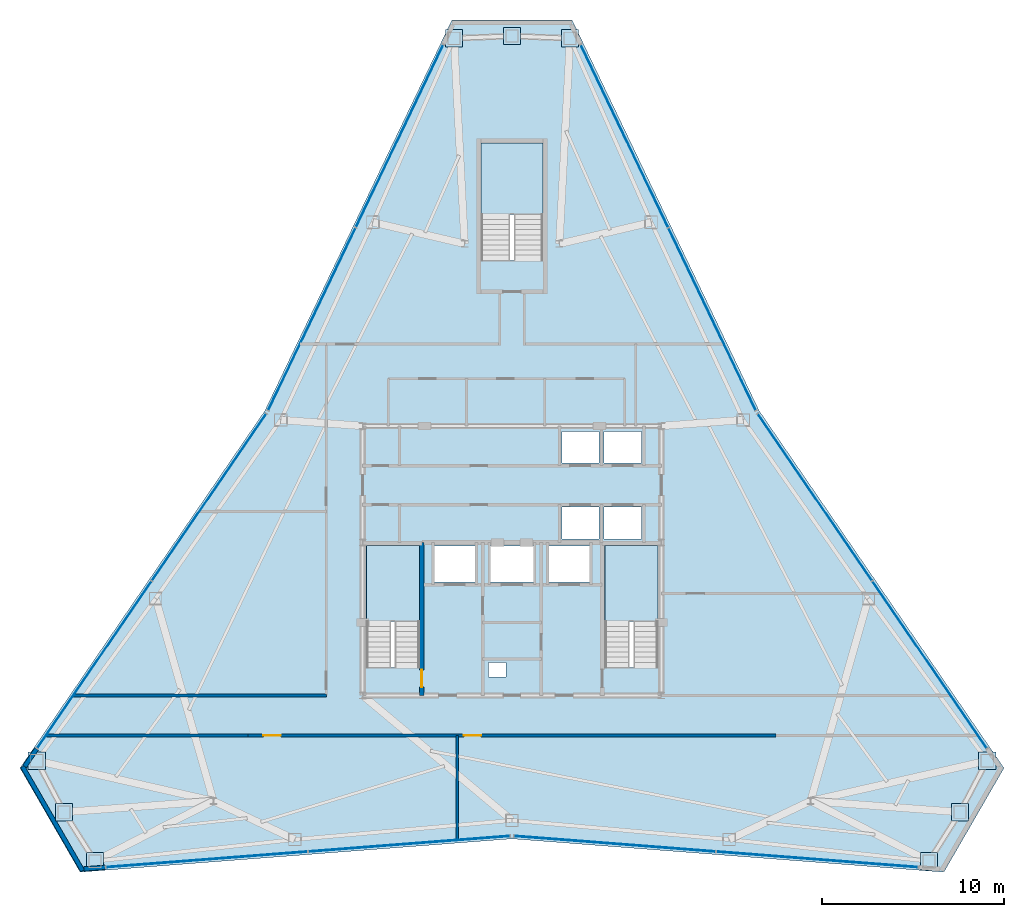
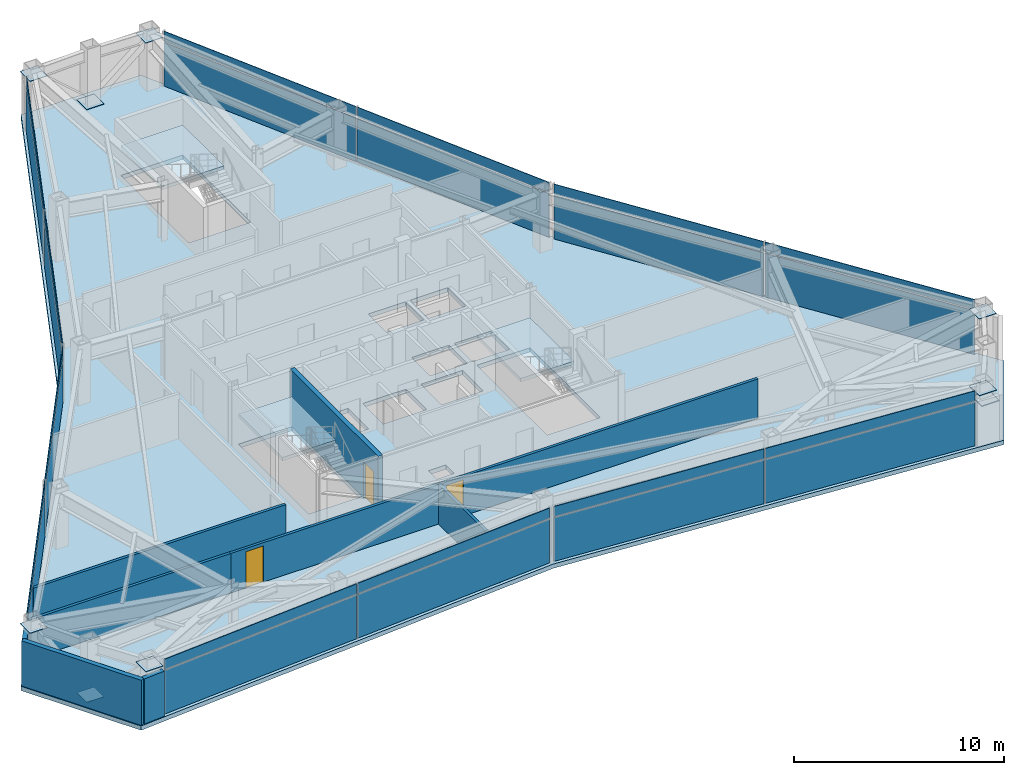
# One storey, part 8 of 11: 33 plates, 8 walls, 4 slabs, 3 doors, 3 openings, 9 elements without a shape of their own.
"""IFC4 building model written with IfcOpenShell, lengths in metres."""

from ifc_helpers import new_model, si_unit, direction, frame, frame_2d, origin, origin_2d, place, context, subcontext, project, spatial, polyline, rectangle, outline, extrude, source, transform, mapped, material, layer, layer_set, type_object, type_shapes, element, fill, aggregate, save


model = new_model("IFC4")

# Units and contexts
model_context = context("Model", 3, precision=1e-05, world=origin(), true_north=direction((0.0, 1.0)))
body_context = subcontext(model_context, "Body", "Model", "MODEL_VIEW")
ifc_project = project(units=[si_unit("LENGTHUNIT", "METRE"), si_unit("AREAUNIT", "SQUARE_METRE"), si_unit("VOLUMEUNIT", "CUBIC_METRE"), si_unit("PLANEANGLEUNIT", "RADIAN"), si_unit("MASSUNIT", "GRAM", prefix="KILO")], contexts=[model_context])

# Site, building, storey
site_placement = place(None, origin())
site = spatial("IfcSite", under=ifc_project, at=site_placement, CompositionType="ELEMENT")
building_placement = place(site_placement, origin())
building = spatial("IfcBuilding", under=site, at=building_placement, Name="Varakhsha Concourse Tower", CompositionType="ELEMENT")
storey_placement = place(building_placement, frame((0.0, 0.0, 215.39990234375)))
storey = spatial("IfcBuildingStorey", under=building, at=storey_placement, Name="L61", CompositionType="ELEMENT", Elevation=215.39990234375)

# Slab
ifc_material_1 = material(Name="Concrete fc 45 MPa", Category="concrete")
ifc_layer_1 = layer(ifc_material_1, 0.25, Name="SL-FLR-250")
ifc_layer_set_1 = layer_set([ifc_layer_1], Name="Concrete fc 45 MPa")
slab_type_1 = type_object("IfcSlabType", Name="SL-FLR-250", PredefinedType="FLOOR", material=ifc_layer_set_1)
slab_1_placement = place(storey_placement, frame((0.0, 0.0, -0.25)))
element("IfcSlab", 1, at=slab_1_placement, inside=storey, type_object=slab_type_1, Name="L61 Composite Structural Slab", PredefinedType="FLOOR", context=body_context, shape_type="SweptSolid", body=[
    extrude(outline(polyline([(43.300048828125, 53.49755859375), (36.699951171875, 53.49755859375), (26.4248046875, 32.03759765625), (12.9775390625, 12.4091796875), (16.277587890625, 6.693359375), (40.0, 8.5244140625), (63.722412109375, 6.693359375), (67.0224609375, 12.4091796875), (53.5751953125, 32.03759765625), (43.300048828125, 53.49755859375)]), holes=[polyline([(34.919921875, 17.93994140625), (34.919921875, 24.6298828125), (32.0, 24.6298828125), (32.0, 17.93994140625), (34.919921875, 17.93994140625)]), polyline([(48.02001953125, 17.93994140625), (48.02001953125, 24.6298828125), (45.10009765625, 24.6298828125), (45.10009765625, 17.93994140625), (48.02001953125, 17.93994140625)]), polyline([(41.699951171875, 40.300048828125), (41.699951171875, 46.75), (38.300048828125, 46.75), (38.300048828125, 40.300048828125), (41.699951171875, 40.300048828125)]), polyline([(42.739990234375, 29.159912109375), (44.780029296875, 29.159912109375), (44.780029296875, 30.89990234375), (42.739990234375, 30.89990234375), (42.739990234375, 29.159912109375)]), polyline([(45.06005859375, 29.159912109375), (47.10009765625, 29.159912109375), (47.10009765625, 30.89990234375), (45.06005859375, 30.89990234375), (45.06005859375, 29.159912109375)]), polyline([(42.739990234375, 25.0), (44.780029296875, 25.0), (44.780029296875, 26.739990234375), (42.739990234375, 26.739990234375), (42.739990234375, 25.0)]), polyline([(45.06005859375, 25.0), (47.10009765625, 25.0), (47.10009765625, 26.739990234375), (45.06005859375, 26.739990234375), (45.06005859375, 25.0)]), polyline([(35.7099609375, 22.639892578125), (37.989990234375, 22.639892578125), (37.989990234375, 24.60009765625), (35.7099609375, 24.60009765625), (35.7099609375, 22.639892578125)]), polyline([(42.010009765625, 22.639892578125), (44.2900390625, 22.639892578125), (44.2900390625, 24.60009765625), (42.010009765625, 24.60009765625), (42.010009765625, 22.639892578125)]), polyline([(38.81005859375, 22.639892578125), (41.18994140625, 22.639892578125), (41.18994140625, 24.60009765625), (38.81005859375, 24.60009765625), (38.81005859375, 22.639892578125)]), polyline([(38.719970703125, 17.39990234375), (39.679931640625, 17.39990234375), (39.679931640625, 18.199951171875), (38.719970703125, 18.199951171875), (38.719970703125, 17.39990234375)])]), origin(), (0.0, 0.0, 1.0), 0.25),
])

# Stair, slab
stair_type_1 = type_object("IfcStairType", Name="ST-DOGLEG-1360", PredefinedType="HALF_TURN_STAIR", material=ifc_material_1)
stair_1_placement = place(storey_placement, origin())
stair_1 = element("IfcStair", 2, at=stair_1_placement, inside=storey, type_object=stair_type_1, Name="L61 Protected Exit Stair ST1", PredefinedType="HALF_TURN_STAIR")
ifc_layer_2 = layer(ifc_material_1, 0.199951171875, Name="SL-LAND-200")
ifc_layer_set_2 = layer_set([ifc_layer_2], Name="Concrete fc 45 MPa")
slab_type_2 = type_object("IfcSlabType", Name="SL-LAND-200", PredefinedType="LANDING", material=ifc_layer_set_2)
slab_2_placement = place(storey_placement, frame((0.0, 0.0, 1.550048828125)))
slab_2 = element("IfcSlab", 3, at=slab_2_placement, type_object=slab_type_2, Name="ST1 landing 1", PredefinedType="LANDING", context=body_context, shape_type="SweptSolid", body=[
    extrude(outline(polyline([(34.919921875, 20.4599609375), (34.919921875, 24.6298828125), (32.0, 24.6298828125), (32.0, 20.4599609375), (34.919921875, 20.4599609375)])), origin(), (0.0, 0.0, 1.0), 0.199951171875),
])
aggregate(stair_1, [slab_2])

stair_2_placement = place(storey_placement, origin())
stair_2 = element("IfcStair", 4, at=stair_2_placement, inside=storey, type_object=stair_type_1, Name="L61 Protected Exit Stair ST2", PredefinedType="HALF_TURN_STAIR")
slab_3_placement = place(storey_placement, frame((0.0, 0.0, 1.550048828125)))
slab_3 = element("IfcSlab", 5, at=slab_3_placement, type_object=slab_type_2, Name="ST2 landing 1", PredefinedType="LANDING", context=body_context, shape_type="SweptSolid", body=[
    extrude(outline(polyline([(48.02001953125, 20.4599609375), (48.02001953125, 24.6298828125), (45.10009765625, 24.6298828125), (45.10009765625, 20.4599609375), (48.02001953125, 20.4599609375)])), origin(), (0.0, 0.0, 1.0), 0.199951171875),
])
aggregate(stair_2, [slab_3])

stair_type_2 = type_object("IfcStairType", Name="ST-DOGLEG-1600", PredefinedType="HALF_TURN_STAIR", material=ifc_material_1)
stair_3_placement = place(storey_placement, origin())
stair_3 = element("IfcStair", 6, at=stair_3_placement, inside=storey, type_object=stair_type_2, Name="L61 Protected Exit Stair ST5", PredefinedType="HALF_TURN_STAIR")
slab_4_placement = place(storey_placement, frame((0.0, 0.0, 1.550048828125)))
slab_4 = element("IfcSlab", 7, at=slab_4_placement, type_object=slab_type_2, Name="ST5 landing 1", PredefinedType="LANDING", context=body_context, shape_type="SweptSolid", body=[
    extrude(outline(polyline([(41.699951171875, 42.820068359375), (41.699951171875, 46.75), (38.300048828125, 46.75), (38.300048828125, 42.820068359375), (41.699951171875, 42.820068359375)])), origin(), (0.0, 0.0, 1.0), 0.199951171875),
])
aggregate(stair_3, [slab_4])

# Plates
ifc_material_2 = material(Name="Structural Steel ASTM A572 Grade 50", Category="steel")
ifc_layer_3 = layer(ifc_material_2, 0.030029296875, Name="PL-ENDCAP-950")
ifc_layer_set_3 = layer_set([ifc_layer_3], Name="Structural Steel ASTM A572 Grade 50")
plate_type_1 = type_object("IfcPlateType", Name="PL-ENDCAP-950", PredefinedType="USERDEFINED", material=ifc_layer_set_3)
shared_shape_1 = source(origin(), body_context, "Body", "SweptSolid", [
    extrude(rectangle(XDim=0.949951171875, YDim=0.949951171875, at=origin_2d()), origin(), (0.0, 0.0, 1.0), 0.030029296875),
])
type_shapes(plate_type_1, [shared_shape_1])
for number, where, z_axis, x_axis, name in (
    (8, (40.0, 52.617431640625, 0.10498046875), (0.0, 0.0, 1.0), (1.0, 0.0, 0.0), "Hollow Section End Cap GP-NODE-L61-0625"),
    (9, (43.186767578125, 52.491943359375, 2.93505859375), (0.0, 0.0, 1.0), (1.0, 0.0, 0.0), "Hollow Section End Cap GP-NODE-L61-0626"),
    (10, (36.813232421875, 52.491943359375, 2.93505859375), (0.0, 0.0, 1.0), (1.0, 0.0, 0.0), "Hollow Section End Cap GP-NODE-L61-0627"),
    (11, (15.3896484375, 9.9912109375, 0.10498046875), (0.0, 0.0, 1.0), (1.0, 0.0, 0.0), "Hollow Section End Cap GP-NODE-L61-0628"),
    (12, (13.905029296875, 12.813720703125, 2.93505859375), (0.0, 0.0, 1.0), (1.0, 0.0, 0.0), "Hollow Section End Cap GP-NODE-L61-0629"),
    (13, (17.091796875, 7.294189453125, 2.93505859375), (0.0, 0.0, 1.0), (1.0, 0.0, 0.0), "Hollow Section End Cap GP-NODE-L61-0630"),
    (14, (64.6103515625, 9.9912109375, 0.10498046875), (0.0, 0.0, 1.0), (1.0, 0.0, 0.0), "Hollow Section End Cap GP-NODE-L61-0631"),
    (15, (62.908203125, 7.294189453125, 2.93505859375), (0.0, 0.0, 1.0), (1.0, 0.0, 0.0), "Hollow Section End Cap GP-NODE-L61-0632"),
    (16, (66.094970703125, 12.813720703125, 2.93505859375), (0.0, 0.0, 1.0), (1.0, 0.0, 0.0), "Hollow Section End Cap GP-NODE-L61-0633"),
):
    element("IfcPlate", number, at=place(storey_placement, frame(where, z_axis=z_axis, x_axis=x_axis)), inside=storey, type_object=plate_type_1, Name=name, ObjectType="END PLATE", PredefinedType="USERDEFINED", context=body_context, shape_type="MappedRepresentation", body=[
        mapped(shared_shape_1, transform((0.0, 0.0, 0.0), scale=1.0)),
    ])

# Curtain wall, plates
ifc_material_3 = material(Name="Anodised Bronze Architectural Aluminium AA 6063-T6", Category="aluminium")
ifc_layer_4 = layer(ifc_material_3, 0.199951171875, Name="CW-SYS-05")
ifc_layer_set_4 = layer_set([ifc_layer_4], Name="Anodised Bronze Architectural Aluminium AA 6063-T6")
curtain_wall_type = type_object("IfcCurtainWallType", Name="CW-SYS-05", PredefinedType="NOTDEFINED", material=ifc_layer_set_4)
curtain_wall_1_placement = place(storey_placement, origin())
curtain_wall_1 = element("IfcCurtainWall", 17, at=curtain_wall_1_placement, inside=storey, type_object=curtain_wall_type, Name="L61 Crystal Curtain Wall F2", PredefinedType="NOTDEFINED")
ifc_material_4 = material(Name="Low-E Triple Insulating Glass IGU 44 mm", Category="glass")
ifc_layer_5 = layer(ifc_material_4, 0.0439453125, Name="CWP-IGU-44")
ifc_layer_set_5 = layer_set([ifc_layer_5], Name="Low-E Triple Insulating Glass IGU 44 mm")
plate_type_2 = type_object("IfcPlateType", Name="CWP-IGU-44", PredefinedType="CURTAIN_PANEL", material=ifc_layer_set_5)
shared_shape_2 = source(origin(), body_context, "Body", "SweptSolid", [
    extrude(rectangle(XDim=11.077392578125, YDim=0.0439453125, at=origin_2d()), origin(), (0.0, 0.0, 1.0), 2.535888671875),
])
type_shapes(plate_type_2, [shared_shape_2])
plate_1_placement = place(storey_placement, frame((29.010498046875, 37.0673828125, 0.0322265625), z_axis=(0.0, 0.0, 1.0), x_axis=(0.431862228288, 0.901939585437, 0.0)))
plate_1 = element("IfcPlate", 18, at=plate_1_placement, type_object=plate_type_2, Name="CW-L61-F2 Panel 00-00", PredefinedType="CURTAIN_PANEL", context=body_context, shape_type="MappedRepresentation", body=[
    mapped(shared_shape_2, transform((0.0, 0.0, 0.0), scale=1.0)),
])
plate_2_placement = place(storey_placement, frame((33.82421875, 47.12109375, 0.0322265625), z_axis=(0.0, 0.0, 1.0), x_axis=(0.431862228288, 0.901939585437, 0.0)))
plate_2 = element("IfcPlate", 19, at=plate_2_placement, type_object=plate_type_2, Name="CW-L61-F2 Panel 01-00", PredefinedType="CURTAIN_PANEL", context=body_context, shape_type="MappedRepresentation", body=[
    mapped(shared_shape_2, transform((0.0, 0.0, 0.0), scale=1.0)),
])

curtain_wall_2_placement = place(storey_placement, origin())
curtain_wall_2 = element("IfcCurtainWall", 20, at=curtain_wall_2_placement, inside=storey, type_object=curtain_wall_type, Name="L61 Crystal Curtain Wall F3", PredefinedType="NOTDEFINED")
plate_3_placement = place(storey_placement, frame((17.06201171875, 18.087890625, 0.0322265625), z_axis=(0.0, 0.0, 1.0), x_axis=(0.565172919372, 0.82497246694, 0.0)))
plate_3 = element("IfcPlate", 21, at=plate_3_placement, type_object=plate_type_2, Name="CW-L61-F3 Panel 00-00", PredefinedType="CURTAIN_PANEL", context=body_context, shape_type="MappedRepresentation", body=[
    mapped(shared_shape_2, transform((0.0, 0.0, 0.0), scale=1.0)),
])
plate_4_placement = place(storey_placement, frame((23.36181640625, 27.283447265625, 0.0322265625), z_axis=(0.0, 0.0, 1.0), x_axis=(0.565172919372, 0.82497246694, 0.0)))
plate_4 = element("IfcPlate", 22, at=plate_4_placement, type_object=plate_type_2, Name="CW-L61-F3 Panel 01-00", PredefinedType="CURTAIN_PANEL", context=body_context, shape_type="MappedRepresentation", body=[
    mapped(shared_shape_2, transform((0.0, 0.0, 0.0), scale=1.0)),
])

curtain_wall_3_placement = place(storey_placement, origin())
curtain_wall_3 = element("IfcCurtainWall", 23, at=curtain_wall_3_placement, inside=storey, type_object=curtain_wall_type, Name="L61 Crystal Curtain Wall F5", PredefinedType="NOTDEFINED")
plate_5_placement = place(storey_placement, frame((34.351318359375, 8.2490234375, 0.0322265625), z_axis=(0.0, 0.0, 1.0), x_axis=(-0.997034110791, -0.076960911628, 0.0)))
plate_5 = element("IfcPlate", 24, at=plate_5_placement, type_object=plate_type_2, Name="CW-L61-F5 Panel 00-00", PredefinedType="CURTAIN_PANEL", context=body_context, shape_type="MappedRepresentation", body=[
    mapped(shared_shape_2, transform((0.0, 0.0, 0.0), scale=1.0)),
])
plate_6_placement = place(storey_placement, frame((23.23779296875, 7.39111328125, 0.0322265625), z_axis=(0.0, 0.0, 1.0), x_axis=(-0.997034110791, -0.076960911628, 0.0)))
plate_6 = element("IfcPlate", 25, at=plate_6_placement, type_object=plate_type_2, Name="CW-L61-F5 Panel 01-00", PredefinedType="CURTAIN_PANEL", context=body_context, shape_type="MappedRepresentation", body=[
    mapped(shared_shape_2, transform((0.0, 0.0, 0.0), scale=1.0)),
])

curtain_wall_4_placement = place(storey_placement, origin())
curtain_wall_4 = element("IfcCurtainWall", 26, at=curtain_wall_4_placement, inside=storey, type_object=curtain_wall_type, Name="L61 Crystal Curtain Wall F6", PredefinedType="NOTDEFINED")
plate_7_placement = place(storey_placement, frame((56.76220703125, 7.39111328125, 0.0322265625), z_axis=(0.0, 0.0, 1.0), x_axis=(-0.997034110791, 0.076960911628, 0.0)))
plate_7 = element("IfcPlate", 27, at=plate_7_placement, type_object=plate_type_2, Name="CW-L61-F6 Panel 00-00", PredefinedType="CURTAIN_PANEL", context=body_context, shape_type="MappedRepresentation", body=[
    mapped(shared_shape_2, transform((0.0, 0.0, 0.0), scale=1.0)),
])
plate_8_placement = place(storey_placement, frame((45.648681640625, 8.2490234375, 0.0322265625), z_axis=(0.0, 0.0, 1.0), x_axis=(-0.997034110791, 0.076960911628, 0.0)))
plate_8 = element("IfcPlate", 28, at=plate_8_placement, type_object=plate_type_2, Name="CW-L61-F6 Panel 01-00", PredefinedType="CURTAIN_PANEL", context=body_context, shape_type="MappedRepresentation", body=[
    mapped(shared_shape_2, transform((0.0, 0.0, 0.0), scale=1.0)),
])

curtain_wall_5_placement = place(storey_placement, origin())
curtain_wall_5 = element("IfcCurtainWall", 29, at=curtain_wall_5_placement, inside=storey, type_object=curtain_wall_type, Name="L61 Crystal Curtain Wall F8", PredefinedType="NOTDEFINED")
plate_9_placement = place(storey_placement, frame((56.638427734375, 27.283447265625, 0.0322265625), z_axis=(0.0, 0.0, 1.0), x_axis=(0.565172919372, -0.82497246694, 0.0)))
plate_9 = element("IfcPlate", 30, at=plate_9_placement, type_object=plate_type_2, Name="CW-L61-F8 Panel 00-00", PredefinedType="CURTAIN_PANEL", context=body_context, shape_type="MappedRepresentation", body=[
    mapped(shared_shape_2, transform((0.0, 0.0, 0.0), scale=1.0)),
])
plate_10_placement = place(storey_placement, frame((62.93798828125, 18.087890625, 0.0322265625), z_axis=(0.0, 0.0, 1.0), x_axis=(0.565172919372, -0.82497246694, 0.0)))
plate_10 = element("IfcPlate", 31, at=plate_10_placement, type_object=plate_type_2, Name="CW-L61-F8 Panel 01-00", PredefinedType="CURTAIN_PANEL", context=body_context, shape_type="MappedRepresentation", body=[
    mapped(shared_shape_2, transform((0.0, 0.0, 0.0), scale=1.0)),
])

curtain_wall_6_placement = place(storey_placement, origin())
curtain_wall_6 = element("IfcCurtainWall", 32, at=curtain_wall_6_placement, inside=storey, type_object=curtain_wall_type, Name="L61 Crystal Curtain Wall F9", PredefinedType="NOTDEFINED")
plate_11_placement = place(storey_placement, frame((46.17578125, 47.12109375, 0.0322265625), z_axis=(0.0, 0.0, 1.0), x_axis=(0.431862228288, -0.901939585437, 0.0)))
plate_11 = element("IfcPlate", 33, at=plate_11_placement, type_object=plate_type_2, Name="CW-L61-F9 Panel 00-00", PredefinedType="CURTAIN_PANEL", context=body_context, shape_type="MappedRepresentation", body=[
    mapped(shared_shape_2, transform((0.0, 0.0, 0.0), scale=1.0)),
])
plate_12_placement = place(storey_placement, frame((50.989501953125, 37.0673828125, 0.0322265625), z_axis=(0.0, 0.0, 1.0), x_axis=(0.431862228288, -0.901939585437, 0.0)))
plate_12 = element("IfcPlate", 34, at=plate_12_placement, type_object=plate_type_2, Name="CW-L61-F9 Panel 01-00", PredefinedType="CURTAIN_PANEL", context=body_context, shape_type="MappedRepresentation", body=[
    mapped(shared_shape_2, transform((0.0, 0.0, 0.0), scale=1.0)),
])

# Plate
ifc_material_5 = material(Name="Insulated Anodised Bronze Aluminium Spandrel 36 mm", Category="aluminium")
ifc_layer_6 = layer(ifc_material_5, 0.035888671875, Name="CWP-SPN-36")
ifc_layer_set_6 = layer_set([ifc_layer_6], Name="Insulated Anodised Bronze Aluminium Spandrel 36 mm")
plate_type_3 = type_object("IfcPlateType", Name="CWP-SPN-36", PredefinedType="USERDEFINED", material=ifc_layer_set_6)
shared_shape_3 = source(origin(), body_context, "Body", "SweptSolid", [
    extrude(rectangle(XDim=11.077392578125, YDim=0.035888671875, at=origin_2d()), origin(), (0.0, 0.0, 1.0), 0.5859375),
])
type_shapes(plate_type_3, [shared_shape_3])
plate_13_placement = place(storey_placement, frame((29.010498046875, 37.0673828125, 2.632080078125), z_axis=(0.0, 0.0, 1.0), x_axis=(0.431862228288, 0.901939585437, 0.0)))
plate_13 = element("IfcPlate", 35, at=plate_13_placement, type_object=plate_type_3, Name="CW-L61-F2 Panel 00-01", ObjectType="SPANDREL", PredefinedType="USERDEFINED", context=body_context, shape_type="MappedRepresentation", body=[
    mapped(shared_shape_3, transform((0.0, 0.0, 0.0), scale=1.0)),
])

plate_14_placement = place(storey_placement, frame((33.82421875, 47.12109375, 2.632080078125), z_axis=(0.0, 0.0, 1.0), x_axis=(0.431862228288, 0.901939585437, 0.0)))
plate_14 = element("IfcPlate", 36, at=plate_14_placement, type_object=plate_type_3, Name="CW-L61-F2 Panel 01-01", ObjectType="SPANDREL", PredefinedType="USERDEFINED", context=body_context, shape_type="MappedRepresentation", body=[
    mapped(shared_shape_3, transform((0.0, 0.0, 0.0), scale=1.0)),
])

aggregate(curtain_wall_1, [plate_1, plate_13, plate_2, plate_14])

plate_15_placement = place(storey_placement, frame((17.06201171875, 18.087890625, 2.632080078125), z_axis=(0.0, 0.0, 1.0), x_axis=(0.565172919372, 0.82497246694, 0.0)))
plate_15 = element("IfcPlate", 37, at=plate_15_placement, type_object=plate_type_3, Name="CW-L61-F3 Panel 00-01", ObjectType="SPANDREL", PredefinedType="USERDEFINED", context=body_context, shape_type="MappedRepresentation", body=[
    mapped(shared_shape_3, transform((0.0, 0.0, 0.0), scale=1.0)),
])

plate_16_placement = place(storey_placement, frame((23.36181640625, 27.283447265625, 2.632080078125), z_axis=(0.0, 0.0, 1.0), x_axis=(0.565172919372, 0.82497246694, 0.0)))
plate_16 = element("IfcPlate", 38, at=plate_16_placement, type_object=plate_type_3, Name="CW-L61-F3 Panel 01-01", ObjectType="SPANDREL", PredefinedType="USERDEFINED", context=body_context, shape_type="MappedRepresentation", body=[
    mapped(shared_shape_3, transform((0.0, 0.0, 0.0), scale=1.0)),
])

aggregate(curtain_wall_2, [plate_3, plate_15, plate_4, plate_16])

plate_17_placement = place(storey_placement, frame((34.351318359375, 8.2490234375, 2.632080078125), z_axis=(0.0, 0.0, 1.0), x_axis=(-0.997034110791, -0.076960911628, 0.0)))
plate_17 = element("IfcPlate", 39, at=plate_17_placement, type_object=plate_type_3, Name="CW-L61-F5 Panel 00-01", ObjectType="SPANDREL", PredefinedType="USERDEFINED", context=body_context, shape_type="MappedRepresentation", body=[
    mapped(shared_shape_3, transform((0.0, 0.0, 0.0), scale=1.0)),
])

plate_18_placement = place(storey_placement, frame((23.23779296875, 7.39111328125, 2.632080078125), z_axis=(0.0, 0.0, 1.0), x_axis=(-0.997034110791, -0.076960911628, 0.0)))
plate_18 = element("IfcPlate", 40, at=plate_18_placement, type_object=plate_type_3, Name="CW-L61-F5 Panel 01-01", ObjectType="SPANDREL", PredefinedType="USERDEFINED", context=body_context, shape_type="MappedRepresentation", body=[
    mapped(shared_shape_3, transform((0.0, 0.0, 0.0), scale=1.0)),
])

aggregate(curtain_wall_3, [plate_5, plate_17, plate_6, plate_18])

plate_19_placement = place(storey_placement, frame((56.76220703125, 7.39111328125, 2.632080078125), z_axis=(0.0, 0.0, 1.0), x_axis=(-0.997034110791, 0.076960911628, 0.0)))
plate_19 = element("IfcPlate", 41, at=plate_19_placement, type_object=plate_type_3, Name="CW-L61-F6 Panel 00-01", ObjectType="SPANDREL", PredefinedType="USERDEFINED", context=body_context, shape_type="MappedRepresentation", body=[
    mapped(shared_shape_3, transform((0.0, 0.0, 0.0), scale=1.0)),
])

plate_20_placement = place(storey_placement, frame((45.648681640625, 8.2490234375, 2.632080078125), z_axis=(0.0, 0.0, 1.0), x_axis=(-0.997034110791, 0.076960911628, 0.0)))
plate_20 = element("IfcPlate", 42, at=plate_20_placement, type_object=plate_type_3, Name="CW-L61-F6 Panel 01-01", ObjectType="SPANDREL", PredefinedType="USERDEFINED", context=body_context, shape_type="MappedRepresentation", body=[
    mapped(shared_shape_3, transform((0.0, 0.0, 0.0), scale=1.0)),
])

aggregate(curtain_wall_4, [plate_7, plate_19, plate_8, plate_20])

plate_21_placement = place(storey_placement, frame((56.638427734375, 27.283447265625, 2.632080078125), z_axis=(0.0, 0.0, 1.0), x_axis=(0.565172919372, -0.82497246694, 0.0)))
plate_21 = element("IfcPlate", 43, at=plate_21_placement, type_object=plate_type_3, Name="CW-L61-F8 Panel 00-01", ObjectType="SPANDREL", PredefinedType="USERDEFINED", context=body_context, shape_type="MappedRepresentation", body=[
    mapped(shared_shape_3, transform((0.0, 0.0, 0.0), scale=1.0)),
])

plate_22_placement = place(storey_placement, frame((62.93798828125, 18.087890625, 2.632080078125), z_axis=(0.0, 0.0, 1.0), x_axis=(0.565172919372, -0.82497246694, 0.0)))
plate_22 = element("IfcPlate", 44, at=plate_22_placement, type_object=plate_type_3, Name="CW-L61-F8 Panel 01-01", ObjectType="SPANDREL", PredefinedType="USERDEFINED", context=body_context, shape_type="MappedRepresentation", body=[
    mapped(shared_shape_3, transform((0.0, 0.0, 0.0), scale=1.0)),
])

aggregate(curtain_wall_5, [plate_9, plate_21, plate_10, plate_22])

plate_23_placement = place(storey_placement, frame((46.17578125, 47.12109375, 2.632080078125), z_axis=(0.0, 0.0, 1.0), x_axis=(0.431862228288, -0.901939585437, 0.0)))
plate_23 = element("IfcPlate", 45, at=plate_23_placement, type_object=plate_type_3, Name="CW-L61-F9 Panel 00-01", ObjectType="SPANDREL", PredefinedType="USERDEFINED", context=body_context, shape_type="MappedRepresentation", body=[
    mapped(shared_shape_3, transform((0.0, 0.0, 0.0), scale=1.0)),
])

plate_24_placement = place(storey_placement, frame((50.989501953125, 37.0673828125, 2.632080078125), z_axis=(0.0, 0.0, 1.0), x_axis=(0.431862228288, -0.901939585437, 0.0)))
plate_24 = element("IfcPlate", 46, at=plate_24_placement, type_object=plate_type_3, Name="CW-L61-F9 Panel 01-01", ObjectType="SPANDREL", PredefinedType="USERDEFINED", context=body_context, shape_type="MappedRepresentation", body=[
    mapped(shared_shape_3, transform((0.0, 0.0, 0.0), scale=1.0)),
])

aggregate(curtain_wall_6, [plate_11, plate_23, plate_12, plate_24])

# Walls
ifc_layer_7 = layer(ifc_material_1, 0.239990234375, Name="WL-EXT-CRN-240")
ifc_layer_set_7 = layer_set([ifc_layer_7], Name="Concrete fc 45 MPa")
wall_type_1 = type_object("IfcWallType", Name="WL-EXT-CRN-240", PredefinedType="SHEAR", material=ifc_layer_set_7)
wall_1_placement = place(storey_placement, frame((13.893798828125, 13.46337890625, 0.0), z_axis=(0.0, 0.0, 1.0), x_axis=(-0.565223534604, -0.824937789127, 0.0)))
element("IfcWall", 47, at=wall_1_placement, inside=storey, type_object=wall_type_1, Name="L61 Wind-Corner Shoulder Wall F3", PredefinedType="SHEAR", context=body_context, shape_type="SweptSolid", body=[
    extrude(rectangle(XDim=1.16748046875, YDim=0.239990234375, at=frame_2d((0.583740234375, 0.0))), origin(), (0.0, 0.0, 1.0), 2.623046875),
])
wall_2_placement = place(storey_placement, frame((16.416259765625, 6.773193359375, 0.0), z_axis=(0.0, 0.0, 1.0), x_axis=(-0.500002094529, 0.866024194504, 0.0)))
element("IfcWall", 48, at=wall_2_placement, inside=storey, type_object=wall_type_1, Name="L61 Chamfer Wind-Corner Insulated Wall F4", PredefinedType="SHEAR", context=body_context, shape_type="SweptSolid", body=[
    extrude(rectangle(XDim=6.60009765625, YDim=0.239990234375, at=frame_2d((3.300048828125, 0.0))), origin(), (0.0, 0.0, 1.0), 2.623046875),
])
wall_3_placement = place(storey_placement, frame((16.484619140625, 6.869873046875, 0.0), z_axis=(0.0, 0.0, 1.0), x_axis=(0.997034771767, 0.076952348157, 0.0)))
element("IfcWall", 49, at=wall_3_placement, inside=storey, type_object=wall_type_1, Name="L61 Wind-Corner Shoulder Wall F5", PredefinedType="SHEAR", context=body_context, shape_type="SweptSolid", body=[
    extrude(rectangle(XDim=1.16748046875, YDim=0.239990234375, at=frame_2d((0.583740234375, 0.0))), origin(), (0.0, 0.0, 1.0), 2.623046875),
])
ifc_material_6 = material(Name="Fire-Rated Type X Gypsum Partition Assembly", Category="gypsum")
ifc_layer_8 = layer(ifc_material_6, 0.14990234375, Name="WL-PART-150")
ifc_layer_set_8 = layer_set([ifc_layer_8], Name="Fire-Rated Type X Gypsum Partition Assembly")
wall_type_2 = type_object("IfcWallType", Name="WL-PART-150", PredefinedType="PARTITIONING", material=ifc_layer_set_8)
wall_4_placement = place(storey_placement, frame((14.404541015625, 14.199951171875, 0.0), z_axis=(0.0, 0.0, 1.0), x_axis=(1.0, 0.0, 0.0)))
element("IfcWall", 50, at=wall_4_placement, inside=storey, type_object=wall_type_2, Name="L61 Wall CRW-SGAL-SW-L61", PredefinedType="PARTITIONING", context=body_context, shape_type="SweptSolid", body=[
    extrude(rectangle(XDim=11.095458984375, YDim=0.14990234375, at=frame_2d((5.5478515625, 0.0))), origin(), (0.0, 0.0, 1.0), 2.2919921875),
])
wall_5_placement = place(storey_placement, frame((15.91162109375, 16.39990234375, 0.0), z_axis=(0.0, 0.0, 1.0), x_axis=(1.0, 0.0, 0.0)))
element("IfcWall", 51, at=wall_5_placement, inside=storey, type_object=wall_type_2, Name="L61 Wall CRW-SGAL-NW-L61", PredefinedType="PARTITIONING", context=body_context, shape_type="SweptSolid", body=[
    extrude(rectangle(XDim=13.888427734375, YDim=0.14990234375, at=frame_2d((6.9443359375, 0.0))), origin(), (0.0, 0.0, 1.0), 2.2919921875),
])

# Wall, openings, doors
wall_6_placement = place(storey_placement, frame((25.5, 14.199951171875, 0.0), z_axis=(0.0, 0.0, 1.0), x_axis=(1.0, 0.0, 0.0)))
wall_6 = element("IfcWall", 52, at=wall_6_placement, inside=storey, type_object=wall_type_2, Name="L61 Wall CRW-S-DOOR-L61", PredefinedType="PARTITIONING", context=body_context, shape_type="SweptSolid", body=[
    extrude(rectangle(XDim=29.0, YDim=0.14990234375, at=frame_2d((14.5, 0.0))), origin(), (0.0, 0.0, 1.0), 2.2919921875),
])
opening_1_placement = place(wall_6_placement, frame((0.85009765625, 0.0, 0.0)))
opening_1 = element("IfcOpeningElement", 53, at=opening_1_placement, cuts=wall_6, Name="Opening DF-05", PredefinedType="OPENING", context=body_context, shape_type="SweptSolid", body=[
    extrude(rectangle(XDim=0.949951171875, YDim=2.10009765625, at=frame_2d((0.47509765625, 1.050048828125))), frame((0.0, 0.0849609375, 0.0), z_axis=(0.0, -1.0, 0.0), x_axis=(1.0, 0.0, 0.0)), (0.0, 0.0, 1.0), 0.169921875),
])
opening_2_placement = place(wall_6_placement, frame((11.85009765625, 0.0, 0.0)))
opening_2 = element("IfcOpeningElement", 54, at=opening_2_placement, cuts=wall_6, Name="Opening DF-05", PredefinedType="OPENING", context=body_context, shape_type="SweptSolid", body=[
    extrude(rectangle(XDim=0.949951171875, YDim=2.10009765625, at=frame_2d((0.47509765625, 1.050048828125))), frame((0.0, 0.0849609375, 0.0), z_axis=(0.0, -1.0, 0.0), x_axis=(1.0, 0.0, 0.0)), (0.0, 0.0, 1.0), 0.169921875),
])
ifc_material_7 = material(Name="Hollow Galvanised Steel Fire Door Assembly", Category="steel")
door_type_1 = type_object("IfcDoorType", Name="DR-FD60-950", OperationType="NOTDEFINED", PredefinedType="DOOR", material=ifc_material_7)
door_1_placement = place(opening_1_placement, origin())
door_1 = element("IfcDoor", 55, at=door_1_placement, inside=storey, type_object=door_type_1, Name="L61 Portfolio Risk Office L61-S1 Door", OperationType="SINGLE_SWING_LEFT", OverallHeight=2.10009765625, OverallWidth=0.949951171875, PredefinedType="DOOR", context=body_context, shape_type="SweptSolid", body=[
    extrude(rectangle(XDim=0.949951171875, YDim=2.10009765625, at=frame_2d((0.47509765625, 1.050048828125))), frame((0.0, 0.02490234375, 0.0), z_axis=(0.0, -1.0, 0.0), x_axis=(1.0, 0.0, 0.0)), (0.0, 0.0, 1.0), 0.050048828125),
])
fill(opening_1, door_1)
door_2_placement = place(opening_2_placement, origin())
door_2 = element("IfcDoor", 56, at=door_2_placement, inside=storey, type_object=door_type_1, Name="L61 Quantitative Analytics Studio L61-S2 Door", OperationType="SINGLE_SWING_RIGHT", OverallHeight=2.10009765625, OverallWidth=0.949951171875, PredefinedType="DOOR", context=body_context, shape_type="SweptSolid", body=[
    extrude(rectangle(XDim=0.949951171875, YDim=2.10009765625, at=frame_2d((0.47509765625, 1.050048828125))), frame((0.0, 0.02490234375, 0.0), z_axis=(0.0, -1.0, 0.0), x_axis=(1.0, 0.0, 0.0)), (0.0, 0.0, 1.0), 0.050048828125),
])
fill(opening_2, door_2)

# Wall
wall_7_placement = place(storey_placement, frame((37.0, 8.45849609375, 0.0), z_axis=(0.0, 0.0, 1.0), x_axis=(0.0, 1.0, 0.0)))
element("IfcWall", 57, at=wall_7_placement, inside=storey, type_object=wall_type_2, Name="L61 Wall ODIV-S1-L61", PredefinedType="PARTITIONING", context=body_context, shape_type="SweptSolid", body=[
    extrude(rectangle(XDim=5.741455078125, YDim=0.14990234375, at=frame_2d((2.87060546875, 0.0))), origin(), (0.0, 0.0, 1.0), 2.2919921875),
])

# Wall, opening, door
ifc_layer_9 = layer(ifc_material_1, 0.25, Name="WL-STAIR-250")
ifc_layer_set_9 = layer_set([ifc_layer_9], Name="Concrete fc 45 MPa")
wall_type_3 = type_object("IfcWallType", Name="WL-STAIR-250", PredefinedType="SHEAR", material=ifc_layer_set_9)
wall_8_placement = place(storey_placement, frame((35.044921875, 16.39990234375, 0.0), z_axis=(0.0, 0.0, 1.0), x_axis=(0.0, 1.0, 0.0)))
wall_8 = element("IfcWall", 58, at=wall_8_placement, inside=storey, type_object=wall_type_3, Name="L61 Wall SWALL-ST1-E-L61", PredefinedType="SHEAR", context=body_context, shape_type="SweptSolid", body=[
    extrude(rectangle(XDim=8.400146484375, YDim=0.25, at=frame_2d((4.2001953125, 0.0))), origin(), (0.0, 0.0, 1.0), 3.25),
])
opening_3_placement = place(wall_8_placement, frame((0.449951171875, 0.0, 0.0)))
opening_3 = element("IfcOpeningElement", 59, at=opening_3_placement, cuts=wall_8, Name="Opening DF-03", PredefinedType="OPENING", context=body_context, shape_type="SweptSolid", body=[
    extrude(rectangle(XDim=0.949951171875, YDim=2.10009765625, at=frame_2d((0.47509765625, 1.050048828125))), frame((0.0, 0.135009765625, 0.0), z_axis=(0.0, -1.0, 0.0), x_axis=(1.0, 0.0, 0.0)), (0.0, 0.0, 1.0), 0.27001953125),
])
door_type_2 = type_object("IfcDoorType", Name="DR-FD90-950", OperationType="NOTDEFINED", PredefinedType="DOOR", material=ifc_material_7)
door_3_placement = place(opening_3_placement, origin())
door_3 = element("IfcDoor", 60, at=door_3_placement, inside=storey, type_object=door_type_2, Name="L61 Stair ST1 Fire Door", OperationType="SINGLE_SWING_LEFT", OverallHeight=2.10009765625, OverallWidth=0.949951171875, PredefinedType="DOOR", context=body_context, shape_type="SweptSolid", body=[
    extrude(rectangle(XDim=0.949951171875, YDim=2.10009765625, at=frame_2d((0.47509765625, 1.050048828125))), frame((0.0, 0.02490234375, 0.0), z_axis=(0.0, -1.0, 0.0), x_axis=(1.0, 0.0, 0.0)), (0.0, 0.0, 1.0), 0.050048828125),
])
fill(opening_3, door_3)

save(model, "model.ifc")
